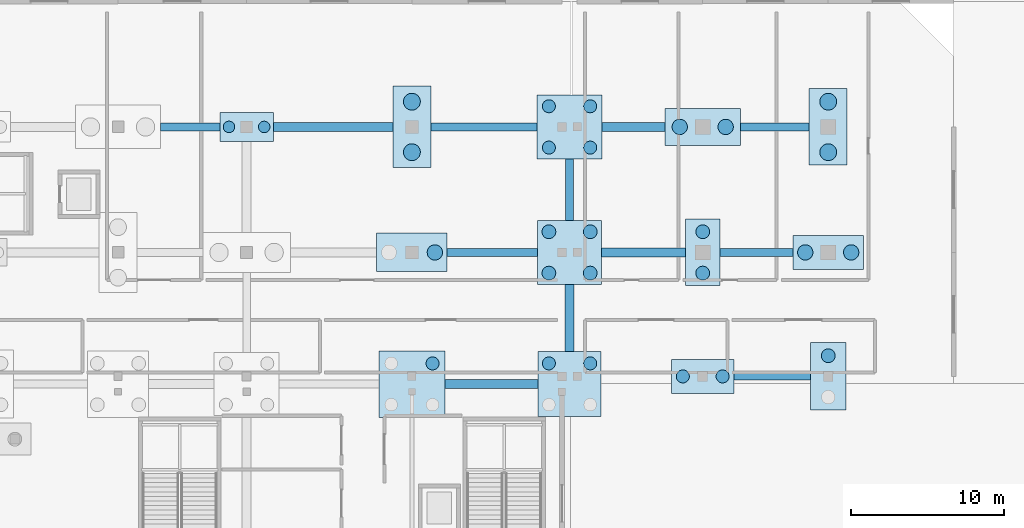
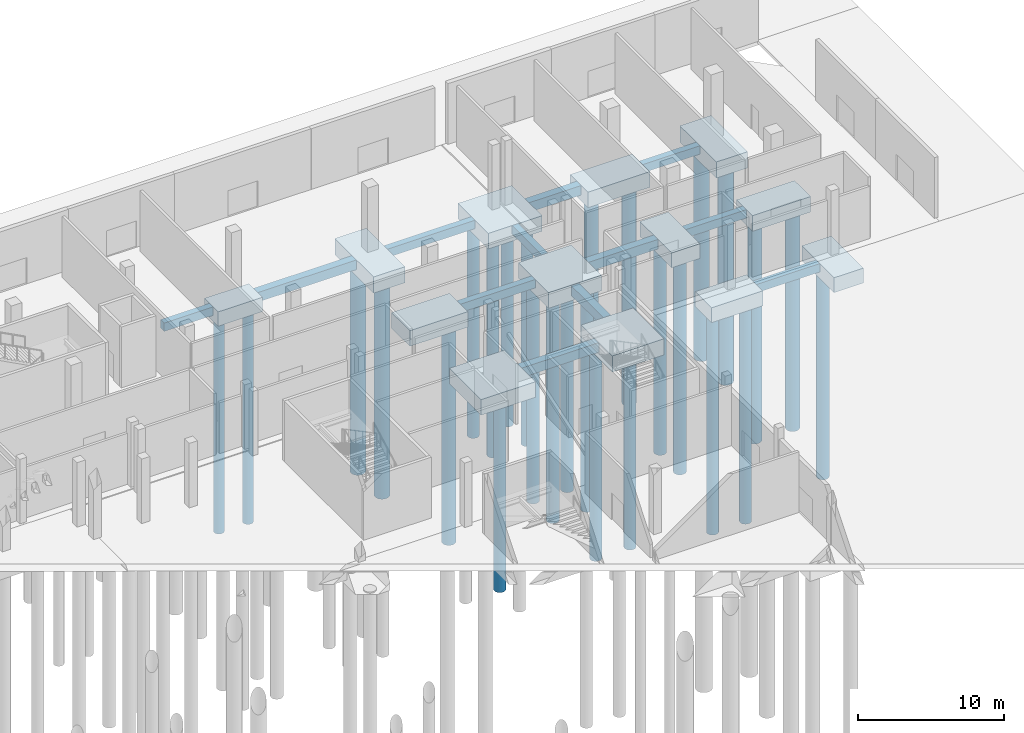
# One storey, part 14 of 89: 27 piles, 25 footings.
"""IFC4 building model written with IfcOpenShell, lengths in metres."""

from ifc_helpers import new_model, si_unit, direction, frame, origin, origin_2d, place, context, subcontext, project, spatial, rectangle, circle, extrude, material, material_profile, profile_set, type_object, element, save


model = new_model("IFC4")

# Units and contexts
model_context = context("Model", 3, precision=1e-05, world=origin(), true_north=direction((0.0, 1.0)))
body_context = subcontext(model_context, "Body", "Model", "MODEL_VIEW")
ifc_project = project(units=[si_unit("LENGTHUNIT", "METRE"), si_unit("AREAUNIT", "SQUARE_METRE"), si_unit("VOLUMEUNIT", "CUBIC_METRE"), si_unit("PLANEANGLEUNIT", "RADIAN"), si_unit("MASSUNIT", "GRAM", prefix="KILO")], contexts=[model_context])

# Site, building, storey
site_placement = place(None, origin())
site = spatial("IfcSite", under=ifc_project, at=site_placement, CompositionType="ELEMENT")
building_placement = place(site_placement, origin())
building = spatial("IfcBuilding", under=site, at=building_placement, Name="Koshinbarg Plaza Stadium", CompositionType="ELEMENT")
storey_placement = place(building_placement, origin())
storey = spatial("IfcBuildingStorey", under=building, at=storey_placement, Name="L00", CompositionType="ELEMENT", Elevation=0.0)

# Footings
ifc_material = material(Name="Concrete C35/45", Category="concrete")
ifc_material_profile_1 = material_profile(ifc_material, rectangle(XDim=0.5, YDim=0.699951171875, at=origin_2d()), Name="GB 500x700")
ifc_profile_set_1 = profile_set([ifc_material_profile_1], Name="Concrete C35/45")
footing_type_1 = type_object("IfcFootingType", Name="FT-GB-01", PredefinedType="FOOTING_BEAM", material=ifc_profile_set_1)
footing_1_placement = place(storey_placement, frame((229.6298828125, 127.5, -0.75), z_axis=(1.0, 0.0, 0.0), x_axis=(0.0, 1.0, 0.0)))
element("IfcFooting", 1, at=footing_1_placement, inside=storey, type_object=footing_type_1, Name="Ground footing beam GB-X-157", PredefinedType="FOOTING_BEAM", context=body_context, shape_type="SweptSolid", body=[
    extrude(rectangle(XDim=0.5, YDim=0.699951171875, at=origin_2d()), origin(), (0.0, 0.0, 1.0), 5.010009765625),
])
footing_2_placement = place(storey_placement, frame((210.89990234375, 135.60009765625, -0.75), z_axis=(1.0, 0.0, 0.0), x_axis=(0.0, 1.0, 0.0)))
element("IfcFooting", 2, at=footing_2_placement, inside=storey, type_object=footing_type_1, Name="Ground footing beam GB-X-171", PredefinedType="FOOTING_BEAM", context=body_context, shape_type="SweptSolid", body=[
    extrude(rectangle(XDim=0.5, YDim=0.699951171875, at=origin_2d()), origin(), (0.0, 0.0, 1.0), 5.91015625),
])
footing_3_placement = place(storey_placement, frame((228.719970703125, 135.60009765625, -0.75), z_axis=(1.0, 0.0, 0.0), x_axis=(0.0, 1.0, 0.0)))
element("IfcFooting", 3, at=footing_3_placement, inside=storey, type_object=footing_type_1, Name="Ground footing beam GB-X-173", PredefinedType="FOOTING_BEAM", context=body_context, shape_type="SweptSolid", body=[
    extrude(rectangle(XDim=0.5, YDim=0.699951171875, at=origin_2d()), origin(), (0.0, 0.0, 1.0), 4.780029296875),
])
footing_4_placement = place(storey_placement, frame((192.179931640625, 143.800048828125, -0.75), z_axis=(1.0, 0.0, 0.0), x_axis=(0.0, 1.0, 0.0)))
element("IfcFooting", 4, at=footing_4_placement, inside=storey, type_object=footing_type_1, Name="Ground footing beam GB-X-185", PredefinedType="FOOTING_BEAM", context=body_context, shape_type="SweptSolid", body=[
    extrude(rectangle(XDim=0.5, YDim=0.699951171875, at=origin_2d()), origin(), (0.0, 0.0, 1.0), 3.8701171875),
])
footing_5_placement = place(storey_placement, frame((209.840087890625, 143.800048828125, -0.75), z_axis=(1.0, 0.0, 0.0), x_axis=(0.0, 1.0, 0.0)))
element("IfcFooting", 5, at=footing_5_placement, inside=storey, type_object=footing_type_1, Name="Ground footing beam GB-X-187", PredefinedType="FOOTING_BEAM", context=body_context, shape_type="SweptSolid", body=[
    extrude(rectangle(XDim=0.5, YDim=0.699951171875, at=origin_2d()), origin(), (0.0, 0.0, 1.0), 6.929931640625),
])
footing_6_placement = place(storey_placement, frame((230.06005859375, 143.800048828125, -0.75), z_axis=(1.0, 0.0, 0.0), x_axis=(0.0, 1.0, 0.0)))
element("IfcFooting", 6, at=footing_6_placement, inside=storey, type_object=footing_type_1, Name="Ground footing beam GB-X-189", PredefinedType="FOOTING_BEAM", context=body_context, shape_type="SweptSolid", body=[
    extrude(rectangle(XDim=0.5, YDim=0.699951171875, at=origin_2d()), origin(), (0.0, 0.0, 1.0), 4.5),
])
footing_7_placement = place(storey_placement, frame((218.89990234375, 137.679931640625, -0.75), z_axis=(0.0, 1.0, 0.0), x_axis=(-1.0, 0.0, 0.0)))
element("IfcFooting", 7, at=footing_7_placement, inside=storey, type_object=footing_type_1, Name="Ground footing beam GB-Y-265", PredefinedType="FOOTING_BEAM", context=body_context, shape_type="SweptSolid", body=[
    extrude(rectangle(XDim=0.5, YDim=0.699951171875, at=origin_2d()), origin(), (0.0, 0.0, 1.0), 4.0400390625),
])
ifc_material_profile_2 = material_profile(ifc_material, rectangle(XDim=0.60009765625, YDim=0.800048828125, at=origin_2d()), Name="GB 600x800")
ifc_profile_set_2 = profile_set([ifc_material_profile_2], Name="Concrete C35/45")
footing_type_2 = type_object("IfcFootingType", Name="FT-GB-02", PredefinedType="FOOTING_BEAM", material=ifc_profile_set_2)
footing_8_placement = place(storey_placement, frame((210.760009765625, 127.0, -0.85009765625), z_axis=(1.0, 0.0, 0.0), x_axis=(0.0, 1.0, 0.0)))
element("IfcFooting", 8, at=footing_8_placement, inside=storey, type_object=footing_type_2, Name="Ground footing beam GB-X-154", PredefinedType="FOOTING_BEAM", context=body_context, shape_type="SweptSolid", body=[
    extrude(rectangle(XDim=0.60009765625, YDim=0.800048828125, at=origin_2d()), origin(), (0.0, 0.0, 1.0), 6.090087890625),
])
footing_9_placement = place(storey_placement, frame((220.989990234375, 135.60009765625, -0.800048828125), z_axis=(1.0, 0.0, 0.0), x_axis=(0.0, 1.0, 0.0)))
element("IfcFooting", 9, at=footing_9_placement, inside=storey, type_object=footing_type_2, Name="Ground footing beam GB-X-172", PredefinedType="FOOTING_BEAM", context=body_context, shape_type="SweptSolid", body=[
    extrude(rectangle(XDim=0.60009765625, YDim=0.800048828125, at=origin_2d()), origin(), (0.0, 0.0, 1.0), 5.489990234375),
])
footing_10_placement = place(storey_placement, frame((199.550048828125, 143.800048828125, -0.800048828125), z_axis=(1.0, 0.0, 0.0), x_axis=(0.0, 1.0, 0.0)))
element("IfcFooting", 10, at=footing_10_placement, inside=storey, type_object=footing_type_2, Name="Ground footing beam GB-X-186", PredefinedType="FOOTING_BEAM", context=body_context, shape_type="SweptSolid", body=[
    extrude(rectangle(XDim=0.60009765625, YDim=0.800048828125, at=origin_2d()), origin(), (0.0, 0.0, 1.0), 7.81005859375),
])
footing_11_placement = place(storey_placement, frame((221.030029296875, 143.800048828125, -0.800048828125), z_axis=(1.0, 0.0, 0.0), x_axis=(0.0, 1.0, 0.0)))
element("IfcFooting", 11, at=footing_11_placement, inside=storey, type_object=footing_type_2, Name="Ground footing beam GB-X-188", PredefinedType="FOOTING_BEAM", context=body_context, shape_type="SweptSolid", body=[
    extrude(rectangle(XDim=0.60009765625, YDim=0.800048828125, at=origin_2d()), origin(), (0.0, 0.0, 1.0), 4.10986328125),
])
footing_12_placement = place(storey_placement, frame((218.89990234375, 129.1298828125, -0.85009765625), z_axis=(0.0, 1.0, 0.0), x_axis=(-1.0, 0.0, 0.0)))
element("IfcFooting", 12, at=footing_12_placement, inside=storey, type_object=footing_type_2, Name="Ground footing beam GB-Y-264", PredefinedType="FOOTING_BEAM", context=body_context, shape_type="SweptSolid", body=[
    extrude(rectangle(XDim=0.60009765625, YDim=0.800048828125, at=origin_2d()), origin(), (0.0, 0.0, 1.0), 4.39013671875),
])
footing_type_3 = type_object("IfcFootingType", Name="FT-PC-224x434x125", PredefinedType="PILE_CAP", material=ifc_material)
footing_13_placement = place(storey_placement, frame((227.60009765625, 135.60009765625, -1.64990234375), z_axis=(0.0, 0.0, 1.0), x_axis=(1.0, 0.0, 0.0)))
element("IfcFooting", 13, at=footing_13_placement, inside=storey, type_object=footing_type_3, Name="Bored pile cap CAP-219", PredefinedType="PILE_CAP", context=body_context, shape_type="SweptSolid", body=[
    extrude(rectangle(XDim=2.239990234375, YDim=4.340087890625, at=origin_2d()), origin(), (0.0, 0.0, 1.0), 1.25),
])
footing_type_4 = type_object("IfcFootingType", Name="FT-PC-232x442x125", PredefinedType="PILE_CAP", material=ifc_material)
footing_14_placement = place(storey_placement, frame((235.800048828125, 127.5, -1.64990234375), z_axis=(0.0, 0.0, 1.0), x_axis=(1.0, 0.0, 0.0)))
element("IfcFooting", 14, at=footing_14_placement, inside=storey, type_object=footing_type_4, Name="Bored pile cap CAP-225", PredefinedType="PILE_CAP", context=body_context, shape_type="SweptSolid", body=[
    extrude(rectangle(XDim=2.320068359375, YDim=4.419921875, at=origin_2d()), origin(), (0.0, 0.0, 1.0), 1.25),
])
footing_type_5 = type_object("IfcFootingType", Name="FT-PC-248x500x135", PredefinedType="PILE_CAP", material=ifc_material)
footing_15_placement = place(storey_placement, frame((235.800048828125, 143.800048828125, -1.75), z_axis=(0.0, 0.0, 1.0), x_axis=(1.0, 0.0, 0.0)))
element("IfcFooting", 15, at=footing_15_placement, inside=storey, type_object=footing_type_5, Name="Bored pile cap CAP-227", PredefinedType="PILE_CAP", context=body_context, shape_type="SweptSolid", body=[
    extrude(rectangle(XDim=2.47998046875, YDim=5.0, at=origin_2d()), origin(), (0.0, 0.0, 1.0), 1.35009765625),
])
footing_type_6 = type_object("IfcFootingType", Name="FT-PC-248x532x135", PredefinedType="PILE_CAP", material=ifc_material)
footing_16_placement = place(storey_placement, frame((208.60009765625, 143.800048828125, -1.75), z_axis=(0.0, 0.0, 1.0), x_axis=(1.0, 0.0, 0.0)))
element("IfcFooting", 16, at=footing_16_placement, inside=storey, type_object=footing_type_6, Name="Bored pile cap CAP-197", PredefinedType="PILE_CAP", context=body_context, shape_type="SweptSolid", body=[
    extrude(rectangle(XDim=2.47998046875, YDim=5.320068359375, at=origin_2d()), origin(), (0.0, 0.0, 1.0), 1.35009765625),
])
footing_type_7 = type_object("IfcFootingType", Name="FT-PC-350x188x120", PredefinedType="PILE_CAP", material=ifc_material)
footing_17_placement = place(storey_placement, frame((197.800048828125, 143.800048828125, -1.60009765625), z_axis=(0.0, 0.0, 1.0), x_axis=(1.0, 0.0, 0.0)))
element("IfcFooting", 17, at=footing_17_placement, inside=storey, type_object=footing_type_7, Name="Bored pile cap CAP-181", PredefinedType="PILE_CAP", context=body_context, shape_type="SweptSolid", body=[
    extrude(rectangle(XDim=3.5, YDim=1.8798828125, at=origin_2d()), origin(), (0.0, 0.0, 1.0), 1.199951171875),
])
footing_type_8 = type_object("IfcFootingType", Name="FT-PC-406x224x125", PredefinedType="PILE_CAP", material=ifc_material)
footing_18_placement = place(storey_placement, frame((227.60009765625, 127.5, -1.64990234375), z_axis=(0.0, 0.0, 1.0), x_axis=(1.0, 0.0, 0.0)))
element("IfcFooting", 18, at=footing_18_placement, inside=storey, type_object=footing_type_8, Name="Bored pile cap CAP-218", PredefinedType="PILE_CAP", context=body_context, shape_type="SweptSolid", body=[
    extrude(rectangle(XDim=4.06005859375, YDim=2.239990234375, at=origin_2d()), origin(), (0.0, 0.0, 1.0), 1.25),
])
footing_type_9 = type_object("IfcFootingType", Name="FT-PC-410x426x135", PredefinedType="PILE_CAP", material=ifc_material)
footing_19_placement = place(storey_placement, frame((218.89990234375, 127.0, -1.800048828125), z_axis=(0.0, 0.0, 1.0), x_axis=(1.0, 0.0, 0.0)))
element("IfcFooting", 19, at=footing_19_placement, inside=storey, type_object=footing_type_9, Name="Bored pile cap CAP-211", PredefinedType="PILE_CAP", context=body_context, shape_type="SweptSolid", body=[
    extrude(rectangle(XDim=4.10009765625, YDim=4.260009765625, at=origin_2d()), origin(), (0.0, 0.0, 1.0), 1.35009765625),
])
footing_type_10 = type_object("IfcFootingType", Name="FT-PC-418x416x130", PredefinedType="PILE_CAP", material=ifc_material)
footing_20_placement = place(storey_placement, frame((218.89990234375, 135.60009765625, -1.7001953125), z_axis=(0.0, 0.0, 1.0), x_axis=(1.0, 0.0, 0.0)))
element("IfcFooting", 20, at=footing_20_placement, inside=storey, type_object=footing_type_10, Name="Bored pile cap CAP-212", PredefinedType="PILE_CAP", context=body_context, shape_type="SweptSolid", body=[
    extrude(rectangle(XDim=4.179931640625, YDim=4.159912109375, at=origin_2d()), origin(), (0.0, 0.0, 1.0), 1.300048828125),
])
footing_type_11 = type_object("IfcFootingType", Name="FT-PC-426x416x130", PredefinedType="PILE_CAP", material=ifc_material)
footing_21_placement = place(storey_placement, frame((218.89990234375, 143.800048828125, -1.7001953125), z_axis=(0.0, 0.0, 1.0), x_axis=(1.0, 0.0, 0.0)))
element("IfcFooting", 21, at=footing_21_placement, inside=storey, type_object=footing_type_11, Name="Bored pile cap CAP-213", PredefinedType="PILE_CAP", context=body_context, shape_type="SweptSolid", body=[
    extrude(rectangle(XDim=4.260009765625, YDim=4.159912109375, at=origin_2d()), origin(), (0.0, 0.0, 1.0), 1.300048828125),
])
footing_type_12 = type_object("IfcFootingType", Name="FT-PC-432x434x130", PredefinedType="PILE_CAP", material=ifc_material)
footing_22_placement = place(storey_placement, frame((208.60009765625, 127.0, -1.75), z_axis=(0.0, 0.0, 1.0), x_axis=(1.0, 0.0, 0.0)))
element("IfcFooting", 22, at=footing_22_placement, inside=storey, type_object=footing_type_12, Name="Bored pile cap CAP-195", PredefinedType="PILE_CAP", context=body_context, shape_type="SweptSolid", body=[
    extrude(rectangle(XDim=4.320068359375, YDim=4.340087890625, at=origin_2d()), origin(), (0.0, 0.0, 1.0), 1.300048828125),
])
footing_type_13 = type_object("IfcFootingType", Name="FT-PC-460x220x130", PredefinedType="PILE_CAP", material=ifc_material)
footing_23_placement = place(storey_placement, frame((235.800048828125, 135.60009765625, -1.7001953125), z_axis=(0.0, 0.0, 1.0), x_axis=(1.0, 0.0, 0.0)))
element("IfcFooting", 23, at=footing_23_placement, inside=storey, type_object=footing_type_13, Name="Bored pile cap CAP-226", PredefinedType="PILE_CAP", context=body_context, shape_type="SweptSolid", body=[
    extrude(rectangle(XDim=4.60009765625, YDim=2.199951171875, at=origin_2d()), origin(), (0.0, 0.0, 1.0), 1.300048828125),
])
footing_type_14 = type_object("IfcFootingType", Name="FT-PC-460x252x130", PredefinedType="PILE_CAP", material=ifc_material)
footing_24_placement = place(storey_placement, frame((208.60009765625, 135.60009765625, -1.7001953125), z_axis=(0.0, 0.0, 1.0), x_axis=(1.0, 0.0, 0.0)))
element("IfcFooting", 24, at=footing_24_placement, inside=storey, type_object=footing_type_14, Name="Bored pile cap CAP-196", PredefinedType="PILE_CAP", context=body_context, shape_type="SweptSolid", body=[
    extrude(rectangle(XDim=4.60009765625, YDim=2.52001953125, at=origin_2d()), origin(), (0.0, 0.0, 1.0), 1.300048828125),
])
footing_type_15 = type_object("IfcFootingType", Name="FT-PC-492x244x130", PredefinedType="PILE_CAP", material=ifc_material)
footing_25_placement = place(storey_placement, frame((227.60009765625, 143.800048828125, -1.7001953125), z_axis=(0.0, 0.0, 1.0), x_axis=(1.0, 0.0, 0.0)))
element("IfcFooting", 25, at=footing_25_placement, inside=storey, type_object=footing_type_15, Name="Bored pile cap CAP-220", PredefinedType="PILE_CAP", context=body_context, shape_type="SweptSolid", body=[
    extrude(rectangle(XDim=4.919921875, YDim=2.43994140625, at=origin_2d()), origin(), (0.0, 0.0, 1.0), 1.300048828125),
])

# Piles
ifc_material_profile_3 = material_profile(ifc_material, circle(Radius=0.5, at=origin_2d()), Name="PILE D1000")
ifc_profile_set_3 = profile_set([ifc_material_profile_3], Name="Concrete C35/45")
pile_type_1 = type_object("IfcPileType", Name="PL-D1000", PredefinedType="BORED", material=ifc_profile_set_3)
for number, where, z_axis, x_axis, name in (
    (26, (210.10009765625, 135.60009765625, -1.60009765625), (0.0, 0.0, -1.0), (1.0, 0.0, 0.0), "Bored pile CAP-196-2"),
    (27, (226.10009765625, 143.800048828125, -1.60009765625), (0.0, 0.0, -1.0), (1.0, 0.0, 0.0), "Bored pile CAP-220-1"),
    (28, (229.10009765625, 143.800048828125, -1.60009765625), (0.0, 0.0, -1.0), (1.0, 0.0, 0.0), "Bored pile CAP-220-2"),
    (29, (234.300048828125, 135.60009765625, -1.60009765625), (0.0, 0.0, -1.0), (1.0, 0.0, 0.0), "Bored pile CAP-226-1"),
    (30, (237.300048828125, 135.60009765625, -1.60009765625), (0.0, 0.0, -1.0), (1.0, 0.0, 0.0), "Bored pile CAP-226-2"),
):
    element("IfcPile", number, at=place(storey_placement, frame(where, z_axis=z_axis, x_axis=x_axis)), inside=storey, type_object=pile_type_1, Name=name, PredefinedType="BORED", context=body_context, shape_type="SweptSolid", body=[
        extrude(circle(Radius=0.5, at=origin_2d()), origin(), (0.0, 0.0, 1.0), 18.5),
    ])
ifc_material_profile_4 = material_profile(ifc_material, circle(Radius=0.550048828125, at=origin_2d()), Name="PILE D1100")
ifc_profile_set_4 = profile_set([ifc_material_profile_4], Name="Concrete C35/45")
pile_type_2 = type_object("IfcPileType", Name="PL-D1100", PredefinedType="BORED", material=ifc_profile_set_4)
for number, where, z_axis, x_axis, name in (
    (31, (208.60009765625, 142.14990234375, -1.64990234375), (0.0, 0.0, -1.0), (1.0, 0.0, 0.0), "Bored pile CAP-197-1"),
    (32, (208.60009765625, 145.449951171875, -1.64990234375), (0.0, 0.0, -1.0), (1.0, 0.0, 0.0), "Bored pile CAP-197-2"),
    (33, (235.800048828125, 142.14990234375, -1.64990234375), (0.0, 0.0, -1.0), (1.0, 0.0, 0.0), "Bored pile CAP-227-1"),
    (34, (235.800048828125, 145.449951171875, -1.64990234375), (0.0, 0.0, -1.0), (1.0, 0.0, 0.0), "Bored pile CAP-227-2"),
):
    element("IfcPile", number, at=place(storey_placement, frame(where, z_axis=z_axis, x_axis=x_axis)), inside=storey, type_object=pile_type_2, Name=name, PredefinedType="BORED", context=body_context, shape_type="SweptSolid", body=[
        extrude(circle(Radius=0.550048828125, at=origin_2d()), origin(), (0.0, 0.0, 1.0), 18.0),
    ])
ifc_material_profile_5 = material_profile(ifc_material, circle(Radius=0.375, at=origin_2d()), Name="PILE D750")
ifc_profile_set_5 = profile_set([ifc_material_profile_5], Name="Concrete C35/45")
pile_type_3 = type_object("IfcPileType", Name="PL-D750", PredefinedType="BORED", material=ifc_profile_set_5)
for number, where, z_axis, x_axis, name in (
    (35, (196.64990234375, 143.800048828125, -1.5), (0.0, 0.0, -1.0), (1.0, 0.0, 0.0), "Bored pile CAP-181-1"),
    (36, (198.949951171875, 143.800048828125, -1.5), (0.0, 0.0, -1.0), (1.0, 0.0, 0.0), "Bored pile CAP-181-2"),
):
    element("IfcPile", number, at=place(storey_placement, frame(where, z_axis=z_axis, x_axis=x_axis)), inside=storey, type_object=pile_type_3, Name=name, PredefinedType="BORED", context=body_context, shape_type="SweptSolid", body=[
        extrude(circle(Radius=0.375, at=origin_2d()), origin(), (0.0, 0.0, 1.0), 18.0),
    ])
ifc_material_profile_6 = material_profile(ifc_material, circle(Radius=0.425048828125, at=origin_2d()), Name="PILE D850")
ifc_profile_set_6 = profile_set([ifc_material_profile_6], Name="Concrete C35/45")
pile_type_4 = type_object("IfcPileType", Name="PL-D850", PredefinedType="BORED", material=ifc_profile_set_6)
for number, where, z_axis, x_axis, name in (
    (37, (209.949951171875, 128.35009765625, -1.64990234375), (0.0, 0.0, -1.0), (1.0, 0.0, 0.0), "Bored pile CAP-195-4"),
    (38, (217.550048828125, 128.35009765625, -1.699951171875), (0.0, 0.0, -1.0), (1.0, 0.0, 0.0), "Bored pile CAP-211-3"),
    (39, (220.25, 128.35009765625, -1.699951171875), (0.0, 0.0, -1.0), (1.0, 0.0, 0.0), "Bored pile CAP-211-4"),
    (40, (217.550048828125, 142.449951171875, -1.60009765625), (0.0, 0.0, -1.0), (1.0, 0.0, 0.0), "Bored pile CAP-213-1"),
    (41, (220.25, 142.449951171875, -1.60009765625), (0.0, 0.0, -1.0), (1.0, 0.0, 0.0), "Bored pile CAP-213-2"),
    (42, (217.550048828125, 145.14990234375, -1.60009765625), (0.0, 0.0, -1.0), (1.0, 0.0, 0.0), "Bored pile CAP-213-3"),
    (43, (220.25, 145.14990234375, -1.60009765625), (0.0, 0.0, -1.0), (1.0, 0.0, 0.0), "Bored pile CAP-213-4"),
):
    element("IfcPile", number, at=place(storey_placement, frame(where, z_axis=z_axis, x_axis=x_axis)), inside=storey, type_object=pile_type_4, Name=name, PredefinedType="BORED", context=body_context, shape_type="SweptSolid", body=[
        extrude(circle(Radius=0.425048828125, at=origin_2d()), origin(), (0.0, 0.0, 1.0), 18.0),
    ])
for number, where, z_axis, x_axis, name in (
    (44, (226.300048828125, 127.5, -1.550048828125), (0.0, 0.0, -1.0), (1.0, 0.0, 0.0), "Bored pile CAP-218-1"),
    (45, (228.89990234375, 127.5, -1.550048828125), (0.0, 0.0, -1.0), (1.0, 0.0, 0.0), "Bored pile CAP-218-2"),
):
    element("IfcPile", number, at=place(storey_placement, frame(where, z_axis=z_axis, x_axis=x_axis)), inside=storey, type_object=pile_type_4, Name=name, PredefinedType="BORED", context=body_context, shape_type="SweptSolid", body=[
        extrude(circle(Radius=0.425048828125, at=origin_2d()), origin(), (0.0, 0.0, 1.0), 18.5),
    ])
ifc_material_profile_7 = material_profile(ifc_material, circle(Radius=0.449951171875, at=origin_2d()), Name="PILE D900")
ifc_profile_set_7 = profile_set([ifc_material_profile_7], Name="Concrete C35/45")
pile_type_5 = type_object("IfcPileType", Name="PL-D900", PredefinedType="BORED", material=ifc_profile_set_7)
for number, where, z_axis, x_axis, name in (
    (46, (217.550048828125, 134.25, -1.60009765625), (0.0, 0.0, -1.0), (1.0, 0.0, 0.0), "Bored pile CAP-212-1"),
    (47, (220.25, 134.25, -1.60009765625), (0.0, 0.0, -1.0), (1.0, 0.0, 0.0), "Bored pile CAP-212-2"),
    (48, (217.550048828125, 136.949951171875, -1.60009765625), (0.0, 0.0, -1.0), (1.0, 0.0, 0.0), "Bored pile CAP-212-3"),
    (49, (220.25, 136.949951171875, -1.60009765625), (0.0, 0.0, -1.0), (1.0, 0.0, 0.0), "Bored pile CAP-212-4"),
):
    element("IfcPile", number, at=place(storey_placement, frame(where, z_axis=z_axis, x_axis=x_axis)), inside=storey, type_object=pile_type_5, Name=name, PredefinedType="BORED", context=body_context, shape_type="SweptSolid", body=[
        extrude(circle(Radius=0.449951171875, at=origin_2d()), origin(), (0.0, 0.0, 1.0), 18.5),
    ])
for number, where, z_axis, x_axis, name in (
    (50, (227.60009765625, 134.25, -1.550048828125), (0.0, 0.0, -1.0), (1.0, 0.0, 0.0), "Bored pile CAP-219-1"),
    (51, (227.60009765625, 136.949951171875, -1.550048828125), (0.0, 0.0, -1.0), (1.0, 0.0, 0.0), "Bored pile CAP-219-2"),
    (52, (235.800048828125, 128.85009765625, -1.550048828125), (0.0, 0.0, -1.0), (1.0, 0.0, 0.0), "Bored pile CAP-225-2"),
):
    element("IfcPile", number, at=place(storey_placement, frame(where, z_axis=z_axis, x_axis=x_axis)), inside=storey, type_object=pile_type_5, Name=name, PredefinedType="BORED", context=body_context, shape_type="SweptSolid", body=[
        extrude(circle(Radius=0.449951171875, at=origin_2d()), origin(), (0.0, 0.0, 1.0), 18.0),
    ])

save(model, "model.ifc")
